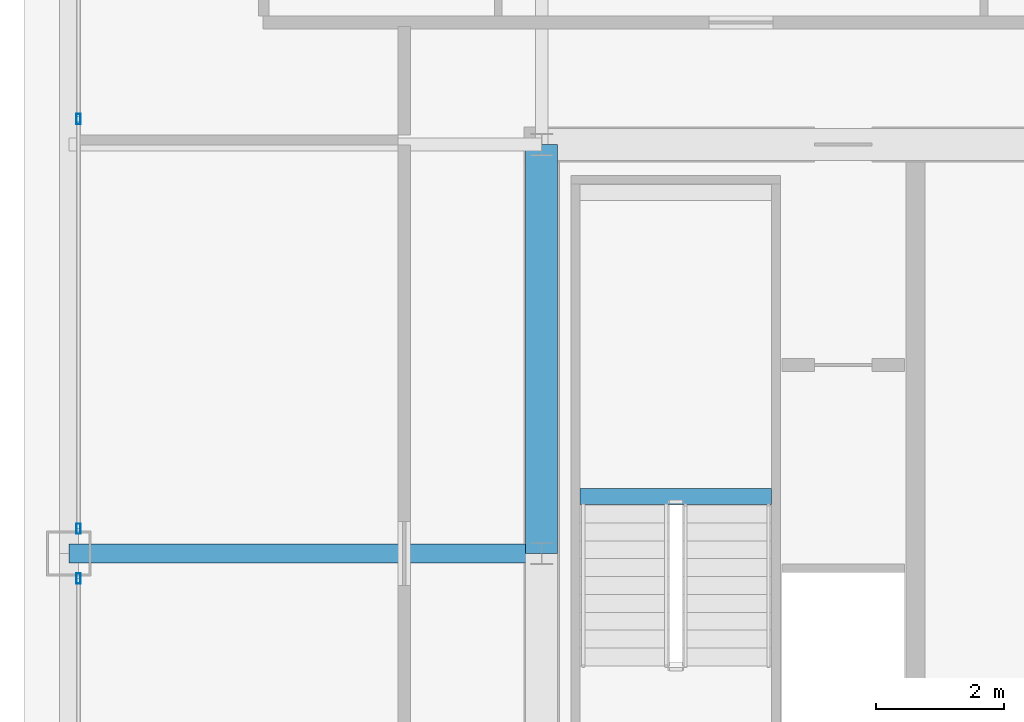
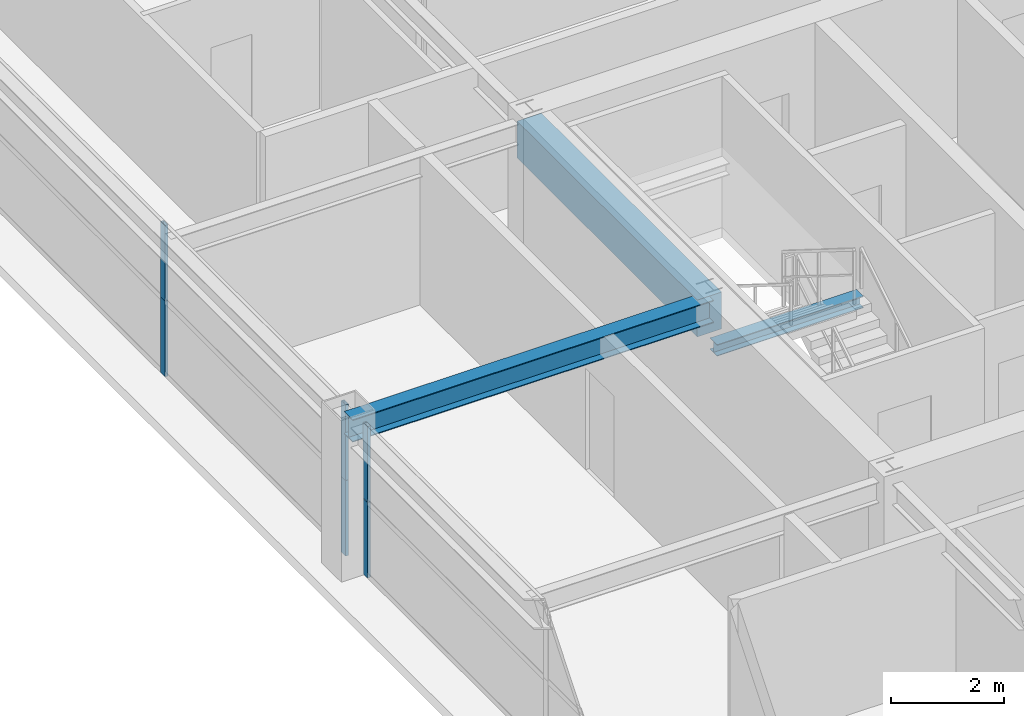
# One storey, part 13 of 37: 6 members, 3 beams, 2 elements without a shape of their own.
"""IFC4 building model written with IfcOpenShell, lengths in metres."""

from ifc_helpers import new_model, si_unit, direction, frame, origin, origin_2d, place, context, subcontext, project, spatial, rectangle, hollow_rectangle, i_section, extrude, source, transform, mapped, material, layer, layer_set, material_profile, profile_set, type_object, element, aggregate, save


model = new_model("IFC4")

# Units and contexts
model_context = context("Model", 3, precision=1e-05, world=origin(), true_north=direction((0.0, 1.0)))
body_context = subcontext(model_context, "Body", "Model", "MODEL_VIEW")
ifc_project = project(units=[si_unit("LENGTHUNIT", "METRE"), si_unit("AREAUNIT", "SQUARE_METRE"), si_unit("VOLUMEUNIT", "CUBIC_METRE"), si_unit("PLANEANGLEUNIT", "RADIAN"), si_unit("MASSUNIT", "GRAM", prefix="KILO"), si_unit("THERMODYNAMICTEMPERATUREUNIT", "KELVIN"), si_unit("POWERUNIT", "WATT")], contexts=[model_context])

# Site, building, storey
site_placement = place(None, origin())
site = spatial("IfcSite", under=ifc_project, at=site_placement, CompositionType="ELEMENT")
building_placement = place(site_placement, origin())
building = spatial("IfcBuilding", under=site, at=building_placement, Name="Yuzanri Waterfront Tower", CompositionType="ELEMENT")
storey_placement = place(building_placement, frame((0.0, 0.0, 278.60009765625)))
storey = spatial("IfcBuildingStorey", under=building, at=storey_placement, Name="L74", CompositionType="ELEMENT", Elevation=278.60009765625)

# Beams
ifc_material_1 = material(Name="Concrete C50", Category="concrete")
ifc_material_profile_1 = material_profile(ifc_material_1, rectangle(XDim=0.5, YDim=0.800048828125, at=origin_2d()), Name="RC 500x800")
ifc_profile_set_1 = profile_set([ifc_material_profile_1], Name="Concrete C50")
beam_type_1 = type_object("IfcBeamType", Name="Core Coupling Lintel Concrete C50 500x800", PredefinedType="LINTEL", material=ifc_profile_set_1)
shared_shape_1 = source(origin(), body_context, "Body", "SweptSolid", [
    extrude(rectangle(XDim=0.5, YDim=0.800048828125, at=origin_2d()), origin(), (0.0, 0.0, 1.0), 6.39990234375),
])
beam_1_placement = place(storey_placement, frame((23.800048828125, 25.800048828125, 2.8798828125), z_axis=(0.0, 1.0, 0.0), x_axis=(-1.0, 0.0, 0.0)))
element("IfcBeam", 1, at=beam_1_placement, inside=storey, type_object=beam_type_1, Name="L74 Core Tie Beam CW2", PredefinedType="LINTEL", context=body_context, shape_type="MappedRepresentation", body=[
    mapped(shared_shape_1, transform((0.0, 0.0, 0.0), scale=1.0)),
])
ifc_material_2 = material(Name="Steel Q355B", Category="steel")
ifc_material_profile_2 = material_profile(ifc_material_2, i_section(OverallWidth=0.300048828125, OverallDepth=0.488037109375, WebThickness=0.010986328125, FlangeThickness=0.01806640625, at=origin_2d()), Name="HM 488x300x11x18")
ifc_profile_set_2 = profile_set([ifc_material_profile_2], Name="Steel Q355B")
beam_type_2 = type_object("IfcBeamType", Name="Primary Floor Girder Q355B HM 488x300", PredefinedType="BEAM", material=ifc_profile_set_2)
shared_shape_2 = source(origin(), body_context, "Body", "SweptSolid", [
    extrude(i_section(OverallWidth=0.300048828125, OverallDepth=0.488037109375, WebThickness=0.010986328125, FlangeThickness=0.01806640625, at=origin_2d()), origin(), (0.0, 0.0, 1.0), 7.400146484375),
])
beam_2_placement = place(storey_placement, frame((23.800048828125, 25.800048828125, 3.035888671875), z_axis=(-1.0, 0.0, 0.0), x_axis=(0.0, -1.0, 0.0)))
element("IfcBeam", 2, at=beam_2_placement, inside=storey, type_object=beam_type_2, Name="L74 West Grid Girder", PredefinedType="BEAM", context=body_context, shape_type="MappedRepresentation", body=[
    mapped(shared_shape_2, transform((0.0, 0.0, 0.0), scale=1.0)),
])

# Curtain wall, members
ifc_material_3 = material(Name="Anodized Architectural Bronze", Category="metal")
ifc_layer = layer(ifc_material_3, 0.159912109375)
ifc_layer_set = layer_set([ifc_layer], Name="Anodized Architectural Bronze")
curtain_wall_type = type_object("IfcCurtainWallType", Name="Anodized Bronze Mid-Rise Residential Acoustic Unitized Curtain Wall 7200", PredefinedType="NOTDEFINED", material=ifc_layer_set)
curtain_wall_1_placement = place(storey_placement, origin())
curtain_wall_1 = element("IfcCurtainWall", 3, at=curtain_wall_1_placement, inside=storey, type_object=curtain_wall_type, Name="L74 Curtain Wall CW-L74-WL", PredefinedType="NOTDEFINED")
ifc_material_4 = material(Name="Anodized Architectural Bronze", Category="metal")
ifc_material_profile_3 = material_profile(ifc_material_4, hollow_rectangle(XDim=0.06494140625, YDim=0.159912109375, WallThickness=0.00341796875, at=origin_2d()), Name="CWM 65x160")
ifc_profile_set_3 = profile_set([ifc_material_profile_3], Name="Anodized Architectural Bronze")
member_type = type_object("IfcMemberType", Name="Anodized Bronze Upper-Zone Curtain-Wall Mullion 65x160", PredefinedType="MULLION", material=ifc_profile_set_3)
shared_shape_3 = source(origin(), body_context, "Body", "SweptSolid", [
    extrude(hollow_rectangle(XDim=0.06494140625, YDim=0.159912109375, WallThickness=0.00341796875, at=origin_2d()), origin(), (0.0, 0.0, 1.0), 1.637939453125),
])
member_1_placement = place(storey_placement, frame((16.550048828125, 25.409912109375, 0.0), z_axis=(0.0, 0.0, 1.0), x_axis=(1.0, 0.0, 0.0)))
member_1 = element("IfcMember", 4, at=member_1_placement, type_object=member_type, Name="CW-L74-WL Lower Mullion 02", PredefinedType="MULLION", context=body_context, shape_type="MappedRepresentation", body=[
    mapped(shared_shape_3, transform((0.0, 0.0, 0.0), scale=1.0)),
])
member_2_placement = place(storey_placement, frame((16.550048828125, 25.409912109375, 1.641845703125), z_axis=(0.0, 0.0, 1.0), x_axis=(1.0, 0.0, 0.0)))
member_2 = element("IfcMember", 5, at=member_2_placement, type_object=member_type, Name="CW-L74-WL Upper Mullion 02", PredefinedType="MULLION", context=body_context, shape_type="MappedRepresentation", body=[
    mapped(shared_shape_3, transform((0.0, 0.0, 0.0), scale=1.0)),
])
aggregate(curtain_wall_1, [member_1, member_2])

curtain_wall_2_placement = place(storey_placement, origin())
curtain_wall_2 = element("IfcCurtainWall", 6, at=curtain_wall_2_placement, inside=storey, type_object=curtain_wall_type, Name="L74 Curtain Wall CW-L74-WR", PredefinedType="NOTDEFINED")
member_3_placement = place(storey_placement, frame((16.550048828125, 26.18994140625, 0.0), z_axis=(0.0, 0.0, 1.0), x_axis=(1.0, 0.0, 0.0)))
member_3 = element("IfcMember", 7, at=member_3_placement, type_object=member_type, Name="CW-L74-WR Lower Mullion 00", PredefinedType="MULLION", context=body_context, shape_type="MappedRepresentation", body=[
    mapped(shared_shape_3, transform((0.0, 0.0, 0.0), scale=1.0)),
])
member_4_placement = place(storey_placement, frame((16.550048828125, 26.18994140625, 1.641845703125), z_axis=(0.0, 0.0, 1.0), x_axis=(1.0, 0.0, 0.0)))
member_4 = element("IfcMember", 8, at=member_4_placement, type_object=member_type, Name="CW-L74-WR Upper Mullion 00", PredefinedType="MULLION", context=body_context, shape_type="MappedRepresentation", body=[
    mapped(shared_shape_3, transform((0.0, 0.0, 0.0), scale=1.0)),
])
member_5_placement = place(storey_placement, frame((16.550048828125, 32.60009765625, 0.0), z_axis=(0.0, 0.0, 1.0), x_axis=(1.0, 0.0, 0.0)))
member_5 = element("IfcMember", 9, at=member_5_placement, type_object=member_type, Name="CW-L74-WR Lower Mullion 01", PredefinedType="MULLION", context=body_context, shape_type="MappedRepresentation", body=[
    mapped(shared_shape_3, transform((0.0, 0.0, 0.0), scale=1.0)),
])
member_6_placement = place(storey_placement, frame((16.550048828125, 32.60009765625, 1.641845703125), z_axis=(0.0, 0.0, 1.0), x_axis=(1.0, 0.0, 0.0)))
member_6 = element("IfcMember", 10, at=member_6_placement, type_object=member_type, Name="CW-L74-WR Upper Mullion 01", PredefinedType="MULLION", context=body_context, shape_type="MappedRepresentation", body=[
    mapped(shared_shape_3, transform((0.0, 0.0, 0.0), scale=1.0)),
])
aggregate(curtain_wall_2, [member_3, member_4, member_5, member_6])

# Beam
ifc_material_5 = material(Name="Steel Q355B", Category="steel")
ifc_material_profile_4 = material_profile(ifc_material_5, i_section(OverallWidth=0.25, OverallDepth=0.25, WebThickness=0.009033203125, FlangeThickness=0.013916015625, at=origin_2d()), Name="HW 250x250x9x14")
ifc_profile_set_4 = profile_set([ifc_material_profile_4], Name="Steel Q355B")
beam_type_3 = type_object("IfcBeamType", Name="Stair Landing Support Beam Q355B HW 250x250", PredefinedType="BEAM", material=ifc_profile_set_4)
shared_shape_4 = source(origin(), body_context, "Body", "SweptSolid", [
    extrude(i_section(OverallWidth=0.25, OverallDepth=0.25, WebThickness=0.009033203125, FlangeThickness=0.013916015625, at=origin_2d()), origin(), (0.0, 0.0, 1.0), 3.0),
])
beam_3_placement = place(storey_placement, frame((24.39990234375, 26.68994140625, 1.4248046875), z_axis=(1.0, 0.0, 0.0), x_axis=(0.0, 1.0, 0.0)))
element("IfcBeam", 11, at=beam_3_placement, inside=storey, type_object=beam_type_3, Name="L74 Stair Landing Support Beam ST-01-L74-L1-1", PredefinedType="BEAM", context=body_context, shape_type="MappedRepresentation", body=[
    mapped(shared_shape_4, transform((0.0, 0.0, 0.0), scale=1.0)),
])

save(model, "model.ifc")
